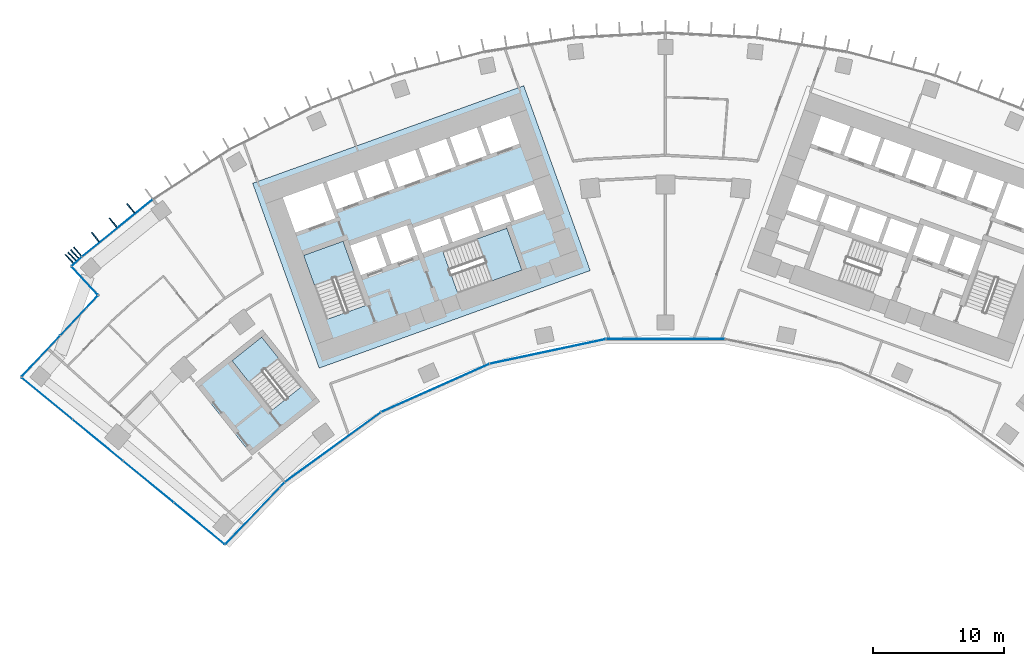
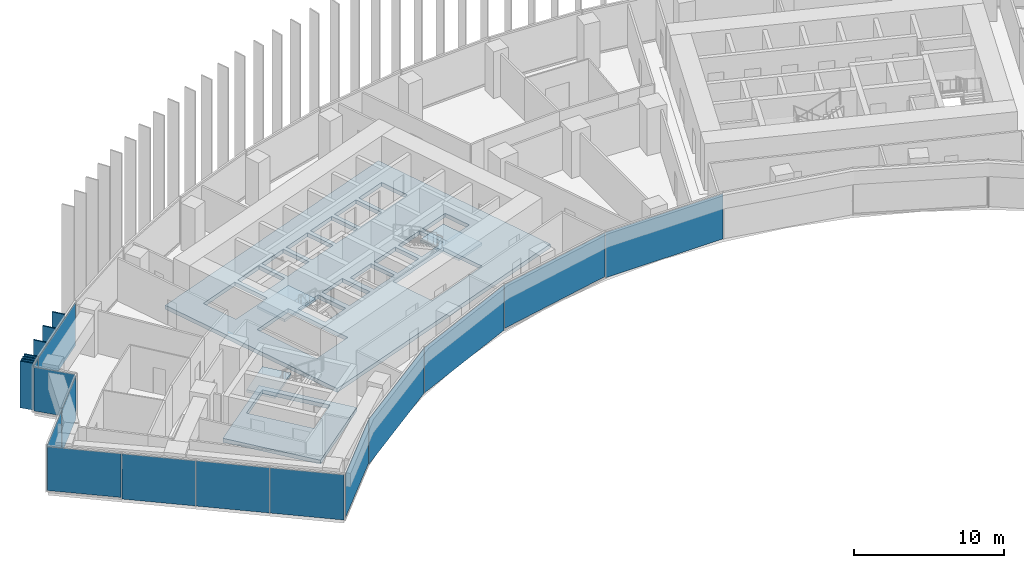
# One storey, part 12 of 22: 21 plates, 5 slabs, 8 elements without a shape of their own.
"""IFC4 building model written with IfcOpenShell, lengths in metres."""

from ifc_helpers import new_model, si_unit, direction, frame, origin, origin_2d, place, context, subcontext, project, spatial, polyline, rectangle, outline, extrude, material, layer, layer_set, type_object, element, aggregate, save


model = new_model("IFC4")

# Units and contexts
model_context = context("Model", 3, precision=1e-05, world=origin(), true_north=direction((0.0, 1.0)))
body_context = subcontext(model_context, "Body", "Model", "MODEL_VIEW")
ifc_project = project(units=[si_unit("LENGTHUNIT", "METRE"), si_unit("AREAUNIT", "SQUARE_METRE"), si_unit("VOLUMEUNIT", "CUBIC_METRE"), si_unit("PLANEANGLEUNIT", "RADIAN"), si_unit("MASSUNIT", "GRAM", prefix="KILO")], contexts=[model_context])

# Site, building, storey
site_placement = place(None, origin())
site = spatial("IfcSite", under=ifc_project, at=site_placement, CompositionType="ELEMENT")
building_placement = place(site_placement, origin())
building = spatial("IfcBuilding", under=site, at=building_placement, Name="Stone Belt Terrace Tower", CompositionType="ELEMENT")
storey_placement = place(building_placement, frame((0.0, 0.0, 109.800048828125)))
storey = spatial("IfcBuildingStorey", under=building, at=storey_placement, Name="L26", CompositionType="ELEMENT", Elevation=109.800048828125)

# Curtain wall, plates
ifc_material_1 = material(Name="Aluminium 6063-T6 anodised frame", Category="aluminium")
ifc_layer_1 = layer(ifc_material_1, 0.14990234375)
ifc_layer_set_1 = layer_set([ifc_layer_1], Name="CW-A unitised convex-face curtain wall")
curtain_wall_type_1 = type_object("IfcCurtainWallType", Name="CW-A unitised convex-face curtain wall", PredefinedType="NOTDEFINED", material=ifc_layer_set_1)
curtain_wall_1_placement = place(storey_placement, origin())
curtain_wall_1 = element("IfcCurtainWall", 1, at=curtain_wall_1_placement, inside=storey, type_object=curtain_wall_type_1, Name="CW-A convex face L26", PredefinedType="NOTDEFINED")
ifc_material_2 = material(Name="Clear double glazed unit")
ifc_layer_2 = layer(ifc_material_2, 0.031982421875)
ifc_layer_set_2 = layer_set([ifc_layer_2], Name="CW-A glass panel 32")
plate_type_1 = type_object("IfcPlateType", Name="CW-A glass panel 32", PredefinedType="CURTAIN_PANEL", material=ifc_layer_set_2)
plate_1_placement = place(storey_placement, frame((-41.839599609375, 51.667724609375, 0.139892578125), z_axis=(0.0, 0.0, 1.0), x_axis=(-0.777145961457, -0.62932039105, 0.0)))
plate_1 = element("IfcPlate", 2, at=plate_1_placement, type_object=plate_type_1, Name="CW-A panel 16.1", PredefinedType="CURTAIN_PANEL", context=body_context, shape_type="SweptSolid", body=[
    extrude(rectangle(XDim=6.900634765625, YDim=0.031982421875, at=origin_2d()), origin(), (0.0, 0.0, 1.0), 3.52001953125),
])
plate_2_placement = place(storey_placement, frame((-44.933837890625, 49.12158203125, 0.139892578125), z_axis=(0.0, 0.0, 1.0), x_axis=(-0.738017867244, -0.674781170179, 0.0)))
plate_2 = element("IfcPlate", 3, at=plate_2_placement, type_object=plate_type_1, Name="CW-A panel 17.1", PredefinedType="CURTAIN_PANEL", context=body_context, shape_type="SweptSolid", body=[
    extrude(rectangle(XDim=0.986083984375, YDim=0.031982421875, at=origin_2d()), origin(), (0.0, 0.0, 1.0), 3.52001953125),
])
aggregate(curtain_wall_1, [plate_1, plate_2])

ifc_layer_3 = layer(ifc_material_1, 0.14990234375)
ifc_layer_set_3 = layer_set([ifc_layer_3], Name="CW-B unitised concave-face curtain wall")
curtain_wall_type_2 = type_object("IfcCurtainWallType", Name="CW-B unitised concave-face curtain wall", PredefinedType="NOTDEFINED", material=ifc_layer_set_3)
curtain_wall_2_placement = place(storey_placement, origin())
curtain_wall_2 = element("IfcCurtainWall", 4, at=curtain_wall_2_placement, inside=storey, type_object=curtain_wall_type_2, Name="CW-B concave face L26", PredefinedType="NOTDEFINED")
ifc_layer_4 = layer(ifc_material_2, 0.030029296875)
ifc_layer_set_4 = layer_set([ifc_layer_4], Name="CW-B glass panel 30")
plate_type_2 = type_object("IfcPlateType", Name="CW-B glass panel 30", PredefinedType="CURTAIN_PANEL", material=ifc_layer_set_4)
plate_3_placement = place(storey_placement, frame((-31.32666015625, 29.89453125, 0.119873046875), z_axis=(0.0, 0.0, 1.0), x_axis=(0.690701733714, 0.723139761764, 0.0)))
plate_3 = element("IfcPlate", 5, at=plate_3_placement, type_object=plate_type_2, Name="CW-B panel 1.1", PredefinedType="CURTAIN_PANEL", context=body_context, shape_type="SweptSolid", body=[
    extrude(rectangle(XDim=6.506591796875, YDim=0.030029296875, at=origin_2d()), origin(), (0.0, 0.0, 1.0), 3.56005859375),
])
plate_4_placement = place(storey_placement, frame((-25.385498046875, 34.938232421875, 0.0), z_axis=(0.0, 0.0, 1.0), x_axis=(0.809016994375, 0.587785252292, 0.0)))
plate_4 = element("IfcPlate", 6, at=plate_4_placement, type_object=plate_type_2, Name="CW-B panel 2.1", PredefinedType="CURTAIN_PANEL", context=body_context, shape_type="SweptSolid", body=[
    extrude(rectangle(XDim=9.014892578125, YDim=0.030029296875, at=origin_2d()), origin(), (0.0, 0.0, 1.0), 3.679931640625),
])
plate_5_placement = place(storey_placement, frame((-17.565673828125, 39.453125, 0.0), z_axis=(0.0, 0.0, 1.0), x_axis=(0.913545457643, 0.406736643076, 0.0)))
plate_5 = element("IfcPlate", 7, at=plate_5_placement, type_object=plate_type_2, Name="CW-B panel 3.1", PredefinedType="CURTAIN_PANEL", context=body_context, shape_type="SweptSolid", body=[
    extrude(rectangle(XDim=9.0126953125, YDim=0.030029296875, at=origin_2d()), origin(), (0.0, 0.0, 1.0), 3.679931640625),
])
plate_6_placement = place(storey_placement, frame((-8.97900390625, 42.242919921875, 0.119873046875), z_axis=(0.0, 0.0, 1.0), x_axis=(0.978147600734, 0.207911690818, 0.0)))
plate_6 = element("IfcPlate", 8, at=plate_6_placement, type_object=plate_type_2, Name="CW-B panel 4.1", PredefinedType="CURTAIN_PANEL", context=body_context, shape_type="SweptSolid", body=[
    extrude(rectangle(XDim=9.0126953125, YDim=0.030029296875, at=origin_2d()), origin(), (0.0, 0.0, 1.0), 3.56005859375),
])
plate_7_placement = place(storey_placement, frame((0.0, 43.186767578125, 0.0), z_axis=(0.0, 0.0, 1.0), x_axis=(1.0, 0.0, 0.0)))
plate_7 = element("IfcPlate", 9, at=plate_7_placement, type_object=plate_type_2, Name="CW-B panel 5.1", PredefinedType="CURTAIN_PANEL", context=body_context, shape_type="SweptSolid", body=[
    extrude(rectangle(XDim=9.0126953125, YDim=0.030029296875, at=origin_2d()), origin(), (0.0, 0.0, 1.0), 3.679931640625),
])
aggregate(curtain_wall_2, [plate_3, plate_4, plate_5, plate_6, plate_7])

# Curtain wall, plate
ifc_layer_5 = layer(ifc_material_1, 0.14990234375)
ifc_layer_set_5 = layer_set([ifc_layer_5], Name="CW-C stick curtain wall, horn ends and notches")
curtain_wall_type_3 = type_object("IfcCurtainWallType", Name="CW-C stick curtain wall, horn ends and notches", PredefinedType="NOTDEFINED", material=ifc_layer_set_5)
curtain_wall_3_placement = place(storey_placement, origin())
curtain_wall_3 = element("IfcCurtainWall", 10, at=curtain_wall_3_placement, inside=storey, type_object=curtain_wall_type_3, Name="CW-C notch face L26", PredefinedType="NOTDEFINED")
ifc_layer_6 = layer(ifc_material_2, 0.028076171875)
ifc_layer_set_6 = layer_set([ifc_layer_6], Name="CW-C glass panel 28")
plate_type_3 = type_object("IfcPlateType", Name="CW-C glass panel 28", PredefinedType="CURTAIN_PANEL", material=ifc_layer_set_6)
plate_8_placement = place(storey_placement, frame((-44.32958984375, 47.636962890625, 0.119873046875), z_axis=(0.0, 0.0, 1.0), x_axis=(0.680392451903, -0.732847945616, 0.0)))
plate_8 = element("IfcPlate", 11, at=plate_8_placement, type_object=plate_type_3, Name="CW-C panel 1.1", PredefinedType="CURTAIN_PANEL", context=body_context, shape_type="SweptSolid", body=[
    extrude(rectangle(XDim=2.85791015625, YDim=0.028076171875, at=origin_2d()), origin(), (0.0, 0.0, 1.0), 3.56005859375),
])
aggregate(curtain_wall_3, [plate_8])

# Curtain wall, plates
curtain_wall_4_placement = place(storey_placement, origin())
curtain_wall_4 = element("IfcCurtainWall", 12, at=curtain_wall_4_placement, inside=storey, type_object=curtain_wall_type_3, Name="CW-C notch face L26", PredefinedType="NOTDEFINED")
plate_9_placement = place(storey_placement, frame((-44.769287109375, 44.982177734375, 0.119873046875), z_axis=(0.0, 0.0, 1.0), x_axis=(-0.685164223338, -0.728388623646, 0.0)))
plate_9 = element("IfcPlate", 13, at=plate_9_placement, type_object=plate_type_3, Name="CW-C panel 1.1", PredefinedType="CURTAIN_PANEL", context=body_context, shape_type="SweptSolid", body=[
    extrude(rectangle(XDim=4.12060546875, YDim=0.028076171875, at=origin_2d()), origin(), (0.0, 0.0, 1.0), 3.56005859375),
])
plate_10_placement = place(storey_placement, frame((-47.684326171875, 41.88330078125, 0.0), z_axis=(0.0, 0.0, 1.0), x_axis=(-0.685164223338, -0.728388623646, 0.0)))
plate_10 = element("IfcPlate", 14, at=plate_10_placement, type_object=plate_type_3, Name="CW-C panel 2.1", PredefinedType="CURTAIN_PANEL", context=body_context, shape_type="SweptSolid", body=[
    extrude(rectangle(XDim=4.268798828125, YDim=0.028076171875, at=origin_2d()), origin(), (0.0, 0.0, 1.0), 3.679931640625),
])
aggregate(curtain_wall_4, [plate_9, plate_10])

curtain_wall_5_placement = place(storey_placement, origin())
curtain_wall_5 = element("IfcCurtainWall", 15, at=curtain_wall_5_placement, inside=storey, type_object=curtain_wall_type_3, Name="CW-C end face L26", PredefinedType="NOTDEFINED")
plate_11_placement = place(storey_placement, frame((-47.21728515625, 38.648193359375, 0.119873046875), z_axis=(0.0, 0.0, 1.0), x_axis=(0.77305069126, -0.634344250973, 0.0)))
plate_11 = element("IfcPlate", 16, at=plate_11_placement, type_object=plate_type_3, Name="CW-C panel 1.1", PredefinedType="CURTAIN_PANEL", context=body_context, shape_type="SweptSolid", body=[
    extrude(rectangle(XDim=4.974853515625, YDim=0.028076171875, at=origin_2d()), origin(), (0.0, 0.0, 1.0), 3.56005859375),
])
plate_12_placement = place(storey_placement, frame((-43.33837890625, 35.46533203125, 0.0), z_axis=(0.0, 0.0, 1.0), x_axis=(0.77305069126, -0.634344250973, 0.0)))
plate_12 = element("IfcPlate", 17, at=plate_12_placement, type_object=plate_type_3, Name="CW-C panel 2.1", PredefinedType="CURTAIN_PANEL", context=body_context, shape_type="SweptSolid", body=[
    extrude(rectangle(XDim=4.93994140625, YDim=0.028076171875, at=origin_2d()), origin(), (0.0, 0.0, 1.0), 3.679931640625),
])
plate_13_placement = place(storey_placement, frame((-39.47314453125, 32.29345703125, 0.0), z_axis=(0.0, 0.0, 1.0), x_axis=(0.77305069126, -0.634344250973, 0.0)))
plate_13 = element("IfcPlate", 18, at=plate_13_placement, type_object=plate_type_3, Name="CW-C panel 3.1", PredefinedType="CURTAIN_PANEL", context=body_context, shape_type="SweptSolid", body=[
    extrude(rectangle(XDim=4.93994140625, YDim=0.028076171875, at=origin_2d()), origin(), (0.0, 0.0, 1.0), 3.679931640625),
])
plate_14_placement = place(storey_placement, frame((-35.59765625, 29.113525390625, 0.0), z_axis=(0.0, 0.0, 1.0), x_axis=(0.77305069126, -0.634344250973, 0.0)))
plate_14 = element("IfcPlate", 19, at=plate_14_placement, type_object=plate_type_3, Name="CW-C panel 4.1", PredefinedType="CURTAIN_PANEL", context=body_context, shape_type="SweptSolid", body=[
    extrude(rectangle(XDim=4.966552734375, YDim=0.028076171875, at=origin_2d()), origin(), (0.0, 0.0, 1.0), 3.679931640625),
])
aggregate(curtain_wall_5, [plate_11, plate_12, plate_13, plate_14])

# Slabs
ifc_material_3 = material(Name="Concrete B40", Category="concrete")
ifc_layer_7 = layer(ifc_material_3, 0.320068359375)
ifc_layer_set_7 = layer_set([ifc_layer_7], Name="Core floor slab 320")
slab_type_1 = type_object("IfcSlabType", Name="Core floor slab 320", PredefinedType="FLOOR", material=ifc_layer_set_7)
slab_1_placement = place(storey_placement, frame((0.0, 0.0, -0.320068359375)))
element("IfcSlab", 20, at=slab_1_placement, inside=storey, type_object=slab_type_1, Name="Core A floor L26", PredefinedType="FLOOR", context=body_context, shape_type="SweptSolid", body=[
    extrude(outline(polyline([(-26.43505859375, 40.968994140625), (-5.735107421875, 48.4189453125), (-10.81396484375, 62.531982421875), (-31.513916015625, 55.0830078125), (-26.43505859375, 40.968994140625)]), holes=[polyline([(-24.60791015625, 50.659912109375), (-22.847900390625, 45.76806640625), (-25.85888671875, 44.68408203125), (-27.618896484375, 49.575927734375), (-24.60791015625, 50.659912109375)]), polyline([(-21.27392578125, 48.778076171875), (-23.25, 48.06689453125), (-24.06298828125, 50.324951171875), (-22.0869140625, 51.035888671875), (-21.27392578125, 48.778076171875)]), polyline([(-18.922119140625, 49.6240234375), (-20.89794921875, 48.9130859375), (-21.7109375, 51.1708984375), (-19.735107421875, 51.883056640625), (-18.922119140625, 49.6240234375)]), polyline([(-19.239990234375, 51.68896484375), (-17.217041015625, 52.4169921875), (-16.52294921875, 50.488037109375), (-18.5458984375, 49.760009765625), (-19.239990234375, 51.68896484375)]), polyline([(-29.2109375, 53.9990234375), (-26.153076171875, 55.09912109375), (-25.18798828125, 52.41796875), (-28.24609375, 51.31689453125), (-29.2109375, 53.9990234375)]), polyline([(-23.801025390625, 55.946044921875), (-23.0390625, 53.8291015625), (-25.10888671875, 53.083984375), (-25.87109375, 55.200927734375), (-23.801025390625, 55.946044921875)]), polyline([(-21.447998046875, 56.7919921875), (-20.68603515625, 54.675048828125), (-22.756103515625, 53.929931640625), (-23.51806640625, 56.047119140625), (-21.447998046875, 56.7919921875)]), polyline([(-19.095947265625, 57.638916015625), (-18.333984375, 55.52197265625), (-20.404052734375, 54.777099609375), (-21.166015625, 56.89404296875), (-19.095947265625, 57.638916015625)]), polyline([(-15.846923828125, 46.69189453125), (-16.998046875, 49.89208984375), (-12.10595703125, 51.652099609375), (-10.955078125, 48.452880859375), (-15.846923828125, 46.69189453125)]), polyline([(-16.239990234375, 50.589111328125), (-16.93408203125, 52.51806640625), (-14.864013671875, 53.262939453125), (-14.169921875, 51.333984375), (-16.239990234375, 50.589111328125)]), polyline([(-11.801025390625, 52.134033203125), (-11.847900390625, 52.116943359375), (-11.864990234375, 52.1640625), (-13.887939453125, 51.43603515625), (-14.58203125, 53.364990234375), (-12.511962890625, 54.110107421875), (-11.801025390625, 52.134033203125)]), polyline([(-9.30810546875, 53.031005859375), (-11.51904296875, 52.235107421875), (-12.22998046875, 54.2109375), (-10.01904296875, 55.007080078125), (-9.30810546875, 53.031005859375)]), polyline([(-16.743896484375, 58.485107421875), (-15.98193359375, 56.367919921875), (-18.052001953125, 55.623046875), (-18.81396484375, 57.739990234375), (-16.743896484375, 58.485107421875)]), polyline([(-14.39111328125, 59.33203125), (-13.6298828125, 57.215087890625), (-15.699951171875, 56.469970703125), (-16.4609375, 58.5869140625), (-14.39111328125, 59.33203125)]), polyline([(-11.89794921875, 60.22900390625), (-11.135986328125, 58.112060546875), (-13.346923828125, 57.31591796875), (-14.10888671875, 59.43408203125), (-11.89794921875, 60.22900390625)])]), origin(), (0.0, 0.0, 1.0), 0.320068359375),
])
slab_2_placement = place(storey_placement, frame((0.0, 0.0, -0.320068359375)))
element("IfcSlab", 21, at=slab_2_placement, inside=storey, type_object=slab_type_1, Name="Exit stair ST3A floor L26", PredefinedType="FLOOR", context=body_context, shape_type="SweptSolid", body=[
    extrude(outline(polyline([(-26.39404296875, 38.425048828125), (-30.756103515625, 43.89990234375), (-35.91796875, 39.787109375), (-31.555908203125, 34.31298828125), (-26.39404296875, 38.425048828125)]), holes=[polyline([(-27.798095703125, 39.544921875), (-30.06591796875, 37.738037109375), (-33.087890625, 41.531005859375), (-30.820068359375, 43.337890625), (-27.798095703125, 39.544921875)])]), origin(), (0.0, 0.0, 1.0), 0.320068359375),
])

# Stair, slab
stair_type = type_object("IfcStairType", Name="Exit stair 1500", PredefinedType="HALF_TURN_STAIR", material=ifc_material_3)
stair_1_placement = place(storey_placement, origin())
stair_1 = element("IfcStair", 22, at=stair_1_placement, inside=storey, type_object=stair_type, Name="L26 Exit stair 1 core A", PredefinedType="HALF_TURN_STAIR")
ifc_layer_8 = layer(ifc_material_3, 0.199951171875)
ifc_layer_set_8 = layer_set([ifc_layer_8], Name="Stair landing 200")
slab_type_2 = type_object("IfcSlabType", Name="Stair landing 200", PredefinedType="LANDING", material=ifc_layer_set_8)
slab_3_placement = place(storey_placement, frame((0.0, 0.0, 1.699951171875)))
slab_3 = element("IfcSlab", 23, at=slab_3_placement, type_object=slab_type_2, Name="ST1A landing 1", PredefinedType="LANDING", context=body_context, shape_type="SweptSolid", body=[
    extrude(outline(polyline([(-23.79541015625, 48.40087890625), (-24.6083984375, 50.659912109375), (-27.619384765625, 49.576171875), (-26.806396484375, 47.3173828125), (-23.79541015625, 48.40087890625)])), origin(), (0.0, 0.0, 1.0), 0.199951171875),
])
aggregate(stair_1, [slab_3])

stair_2_placement = place(storey_placement, origin())
stair_2 = element("IfcStair", 24, at=stair_2_placement, inside=storey, type_object=stair_type, Name="L26 Exit stair 2 core A", PredefinedType="HALF_TURN_STAIR")
slab_4_placement = place(storey_placement, frame((0.0, 0.0, 1.699951171875)))
slab_4 = element("IfcSlab", 25, at=slab_4_placement, type_object=slab_type_2, Name="ST2A landing 1", PredefinedType="LANDING", context=body_context, shape_type="SweptSolid", body=[
    extrude(outline(polyline([(-13.213623046875, 47.64013671875), (-10.95458984375, 48.453125), (-12.10595703125, 51.652099609375), (-14.36474609375, 50.839111328125), (-13.213623046875, 47.64013671875)])), origin(), (0.0, 0.0, 1.0), 0.199951171875),
])
aggregate(stair_2, [slab_4])

stair_3_placement = place(storey_placement, origin())
stair_3 = element("IfcStair", 26, at=stair_3_placement, inside=storey, type_object=stair_type, Name="L26 Exit stair 3A", PredefinedType="HALF_TURN_STAIR")
slab_5_placement = place(storey_placement, frame((0.0, 0.0, 1.699951171875)))
slab_5 = element("IfcSlab", 27, at=slab_5_placement, type_object=slab_type_2, Name="ST3A landing 1", PredefinedType="LANDING", context=body_context, shape_type="SweptSolid", body=[
    extrude(outline(polyline([(-29.541748046875, 41.73388671875), (-30.819580078125, 43.337890625), (-33.087646484375, 41.53076171875), (-31.809814453125, 39.9267578125), (-29.541748046875, 41.73388671875)])), origin(), (0.0, 0.0, 1.0), 0.199951171875),
])
aggregate(stair_3, [slab_5])

# Plates
ifc_material_4 = material(Name="Terracotta coloured glazed ceramic", Category="masonry")
ifc_layer_9 = layer(ifc_material_4, 0.10009765625)
ifc_layer_set_9 = layer_set([ifc_layer_9], Name="Terracotta fin 100 x 900")
plate_type_4 = type_object("IfcPlateType", Name="Terracotta fin 100 x 900", PredefinedType="SHEET", material=ifc_layer_set_9)
for number, where, z_axis, x_axis, name in (
    (28, (-40.81591796875, 53.17236328125, 0.0), (0.0, 0.0, 1.0), (-0.62932039105, 0.777145961457, 0.0), "FIN L26 16.2"),
    (29, (-42.16943359375, 52.076171875, 0.0), (0.0, 0.0, 1.0), (-0.62932039105, 0.777145961457, 0.0), "FIN L26 16.3"),
    (30, (-43.52294921875, 50.97998046875, 0.0), (0.0, 0.0, 1.0), (-0.62932039105, 0.777145961457, 0.0), "FIN L26 16.4"),
    (31, (-44.888671875, 49.8740234375, 0.0), (0.0, 0.0, 1.0), (-0.652344213157, 0.757922837471, 0.0), "FIN L26 17.1"),
    (32, (-45.10205078125, 49.67919921875, 0.0), (0.0, 0.0, 1.0), (-0.674781170179, 0.738017867244, 0.0), "FIN L26 17.2"),
    (33, (-45.303466796875, 49.494873046875, 0.0), (0.0, 0.0, 1.0), (-0.674781170179, 0.738017867244, 0.0), "FIN L26 17.3"),
    (34, (-45.505126953125, 49.310546875, 0.0), (0.0, 0.0, 1.0), (-0.674781170179, 0.738017867244, 0.0), "FIN L26 17.4"),
):
    element("IfcPlate", number, at=place(storey_placement, frame(where, z_axis=z_axis, x_axis=x_axis)), inside=storey, type_object=plate_type_4, Name=name, PredefinedType="SHEET", context=body_context, shape_type="SweptSolid", body=[
        extrude(rectangle(XDim=0.89990234375, YDim=0.10009765625, at=origin_2d()), origin(), (0.0, 0.0, 1.0), 3.800048828125),
    ])

save(model, "model.ifc")
